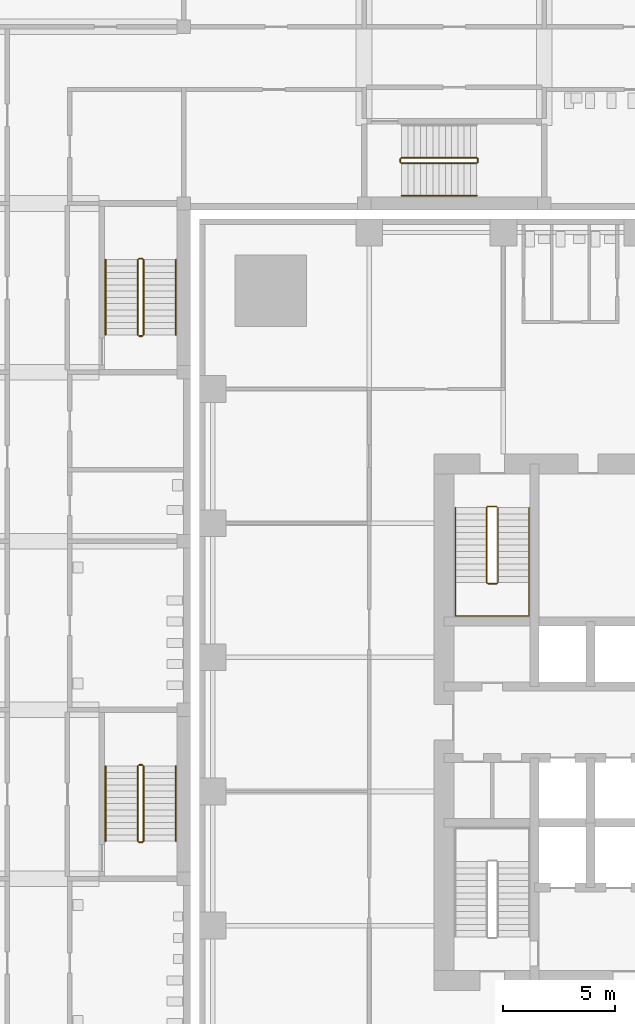
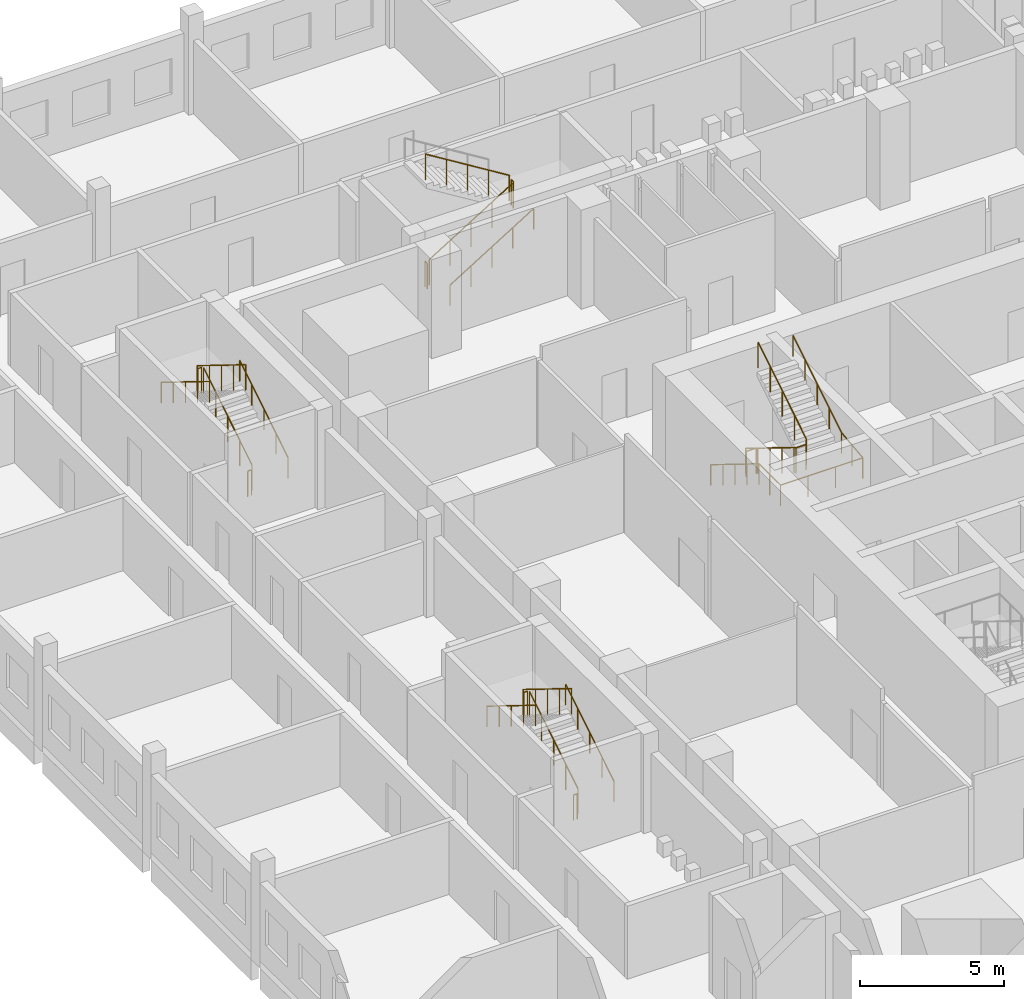
# One storey, part 31 of 34: 19 railings.
"""IFC4 building model written with IfcOpenShell, lengths in metres."""

from ifc_helpers import new_model, si_unit, direction, frame, origin, origin_2d, place, context, subcontext, project, spatial, circle, extrude, material, type_object, element, save


model = new_model("IFC4")

# Units and contexts
model_context = context("Model", 3, precision=1e-05, world=origin(), true_north=direction((0.0, 1.0)))
body_context = subcontext(model_context, "Body", "Model", "MODEL_VIEW")
ifc_project = project(units=[si_unit("LENGTHUNIT", "METRE"), si_unit("AREAUNIT", "SQUARE_METRE"), si_unit("VOLUMEUNIT", "CUBIC_METRE"), si_unit("PLANEANGLEUNIT", "RADIAN"), si_unit("MASSUNIT", "GRAM", prefix="KILO")], contexts=[model_context])

# Site, building, storey
site_placement = place(None, origin())
site = spatial("IfcSite", under=ifc_project, at=site_placement, CompositionType="ELEMENT")
building_placement = place(site_placement, origin())
building = spatial("IfcBuilding", under=site, at=building_placement, Name="Amberfall Residences", CompositionType="ELEMENT")
storey_placement = place(building_placement, frame((0.0, 0.0, 5.5)))
storey = spatial("IfcBuildingStorey", under=building, at=storey_placement, Name="L01", CompositionType="ELEMENT", Elevation=5.5)

# Railings
ifc_material_1 = material(Name="Stainless steel", Category="steel")
railing_type_1 = type_object("IfcRailingType", Name="School stair guard 1100", PredefinedType="GUARDRAIL", material=ifc_material_1)
railing_1_placement = place(storey_placement, frame((49.5, 40.175048828125, 0.173095703125)))
element("IfcRailing", 1, at=railing_1_placement, inside=storey, type_object=railing_type_1, Name="L01 SS2 stair guard 1", PredefinedType="GUARDRAIL", context=body_context, shape_type="SweptSolid", body=[
    extrude(circle(Radius=0.02392578125, at=origin_2d()), frame((0.0, 0.0, 1.076171875), z_axis=(0.0, 0.850606129759, 0.525803396734), x_axis=(-1.0, 0.0, 0.0)), (0.0, 0.0, 1.0), 3.949951171875),
    extrude(circle(Radius=0.02099609375, at=origin_2d()), origin(), (0.0, 0.0, 1.0), 1.052001953125),
    extrude(circle(Radius=0.02099609375, at=origin_2d()), frame((0.0, 0.83984375, 0.519287109375)), (0.0, 0.0, 1.0), 1.052001953125),
    extrude(circle(Radius=0.02099609375, at=origin_2d()), frame((0.0, 1.679931640625, 1.03857421875)), (0.0, 0.0, 1.0), 1.052001953125),
    extrude(circle(Radius=0.02099609375, at=origin_2d()), frame((0.0, 2.52001953125, 1.5576171875)), (0.0, 0.0, 1.0), 1.052001953125),
    extrude(circle(Radius=0.02099609375, at=origin_2d()), frame((0.0, 3.35986328125, 2.076904296875)), (0.0, 0.0, 1.0), 1.052001953125),
])
railing_2_placement = place(storey_placement, frame((49.449951171875, 43.5849609375, 2.25)))
element("IfcRailing", 2, at=railing_2_placement, inside=storey, type_object=railing_type_1, Name="L01 SS2 stair guard 2", PredefinedType="GUARDRAIL", context=body_context, shape_type="SweptSolid", body=[
    extrude(circle(Radius=0.02392578125, at=origin_2d()), frame((0.0, 0.0, 1.076171875), z_axis=(-1.0, 0.0, 0.0), x_axis=(0.0, -1.0, 0.0)), (0.0, 0.0, 1.0), 0.14990234375),
    extrude(circle(Radius=0.02099609375, at=origin_2d()), origin(), (0.0, 0.0, 1.0), 1.052001953125),
    extrude(circle(Radius=0.02099609375, at=origin_2d()), frame((-0.14990234375, 0.0, 0.0)), (0.0, 0.0, 1.0), 1.052001953125),
])
railing_3_placement = place(storey_placement, frame((49.25, 43.534912109375, 2.423095703125)))
element("IfcRailing", 3, at=railing_3_placement, inside=storey, type_object=railing_type_1, Name="L01 SS2 stair guard 3", PredefinedType="GUARDRAIL", context=body_context, shape_type="SweptSolid", body=[
    extrude(circle(Radius=0.02392578125, at=origin_2d()), frame((0.0, 0.0, 1.076171875), z_axis=(0.0, -0.850606129759, 0.525803396734), x_axis=(1.0, 0.0, 0.0)), (0.0, 0.0, 1.0), 3.949951171875),
    extrude(circle(Radius=0.02099609375, at=origin_2d()), origin(), (0.0, 0.0, 1.0), 1.052001953125),
    extrude(circle(Radius=0.02099609375, at=origin_2d()), frame((0.0, -0.83984375, 0.519287109375)), (0.0, 0.0, 1.0), 1.052001953125),
    extrude(circle(Radius=0.02099609375, at=origin_2d()), frame((0.0, -1.679931640625, 1.03857421875)), (0.0, 0.0, 1.0), 1.052001953125),
    extrude(circle(Radius=0.02099609375, at=origin_2d()), frame((0.0, -2.52001953125, 1.5576171875)), (0.0, 0.0, 1.0), 1.052001953125),
    extrude(circle(Radius=0.02099609375, at=origin_2d()), frame((0.0, -3.35986328125, 2.076904296875)), (0.0, 0.0, 1.0), 1.052001953125),
])
railing_4_placement = place(storey_placement, frame((49.449951171875, 40.125, 0.0)))
element("IfcRailing", 4, at=railing_4_placement, inside=storey, type_object=railing_type_1, Name="L01 SS2 stair guard 4", PredefinedType="GUARDRAIL", context=body_context, shape_type="SweptSolid", body=[
    extrude(circle(Radius=0.02392578125, at=origin_2d()), frame((0.0, 0.0, 1.076171875), z_axis=(-1.0, 0.0, 0.0), x_axis=(0.0, -1.0, 0.0)), (0.0, 0.0, 1.0), 0.14990234375),
    extrude(circle(Radius=0.02099609375, at=origin_2d()), origin(), (0.0, 0.0, 1.0), 1.052001953125),
    extrude(circle(Radius=0.02099609375, at=origin_2d()), frame((-0.14990234375, 0.0, 0.0)), (0.0, 0.0, 1.0), 1.052001953125),
])
railing_5_placement = place(storey_placement, frame((49.5, 62.824951171875, 0.173095703125)))
element("IfcRailing", 5, at=railing_5_placement, inside=storey, type_object=railing_type_1, Name="L01 SS3 stair guard 1", PredefinedType="GUARDRAIL", context=body_context, shape_type="SweptSolid", body=[
    extrude(circle(Radius=0.02392578125, at=origin_2d()), frame((0.0, 0.0, 1.076171875), z_axis=(0.0, 0.850623216509, 0.525775754039), x_axis=(-1.0, 0.0, 0.0)), (0.0, 0.0, 1.0), 3.9501953125),
    extrude(circle(Radius=0.02099609375, at=origin_2d()), origin(), (0.0, 0.0, 1.0), 1.052001953125),
    extrude(circle(Radius=0.02099609375, at=origin_2d()), frame((0.0, 0.840087890625, 0.519287109375)), (0.0, 0.0, 1.0), 1.052001953125),
    extrude(circle(Radius=0.02099609375, at=origin_2d()), frame((0.0, 1.68017578125, 1.03857421875)), (0.0, 0.0, 1.0), 1.052001953125),
    extrude(circle(Radius=0.02099609375, at=origin_2d()), frame((0.0, 2.52001953125, 1.5576171875)), (0.0, 0.0, 1.0), 1.052001953125),
    extrude(circle(Radius=0.02099609375, at=origin_2d()), frame((0.0, 3.360107421875, 2.076904296875)), (0.0, 0.0, 1.0), 1.052001953125),
])
railing_6_placement = place(storey_placement, frame((49.449951171875, 66.235107421875, 2.25)))
element("IfcRailing", 6, at=railing_6_placement, inside=storey, type_object=railing_type_1, Name="L01 SS3 stair guard 2", PredefinedType="GUARDRAIL", context=body_context, shape_type="SweptSolid", body=[
    extrude(circle(Radius=0.02392578125, at=origin_2d()), frame((0.0, 0.0, 1.076171875), z_axis=(-1.0, 0.0, 0.0), x_axis=(0.0, -1.0, 0.0)), (0.0, 0.0, 1.0), 0.14990234375),
    extrude(circle(Radius=0.02099609375, at=origin_2d()), origin(), (0.0, 0.0, 1.0), 1.052001953125),
    extrude(circle(Radius=0.02099609375, at=origin_2d()), frame((-0.14990234375, 0.0, 0.0)), (0.0, 0.0, 1.0), 1.052001953125),
])
railing_7_placement = place(storey_placement, frame((49.25, 66.18505859375, 2.423095703125)))
element("IfcRailing", 7, at=railing_7_placement, inside=storey, type_object=railing_type_1, Name="L01 SS3 stair guard 3", PredefinedType="GUARDRAIL", context=body_context, shape_type="SweptSolid", body=[
    extrude(circle(Radius=0.02392578125, at=origin_2d()), frame((0.0, 0.0, 1.076171875), z_axis=(0.0, -0.850623216509, 0.525775754039), x_axis=(1.0, 0.0, 0.0)), (0.0, 0.0, 1.0), 3.9501953125),
    extrude(circle(Radius=0.02099609375, at=origin_2d()), origin(), (0.0, 0.0, 1.0), 1.052001953125),
    extrude(circle(Radius=0.02099609375, at=origin_2d()), frame((0.0, -0.840087890625, 0.519287109375)), (0.0, 0.0, 1.0), 1.052001953125),
    extrude(circle(Radius=0.02099609375, at=origin_2d()), frame((0.0, -1.68017578125, 1.03857421875)), (0.0, 0.0, 1.0), 1.052001953125),
    extrude(circle(Radius=0.02099609375, at=origin_2d()), frame((0.0, -2.52001953125, 1.5576171875)), (0.0, 0.0, 1.0), 1.052001953125),
    extrude(circle(Radius=0.02099609375, at=origin_2d()), frame((0.0, -3.360107421875, 2.076904296875)), (0.0, 0.0, 1.0), 1.052001953125),
])
railing_8_placement = place(storey_placement, frame((49.449951171875, 62.77490234375, 0.0)))
element("IfcRailing", 8, at=railing_8_placement, inside=storey, type_object=railing_type_1, Name="L01 SS3 stair guard 4", PredefinedType="GUARDRAIL", context=body_context, shape_type="SweptSolid", body=[
    extrude(circle(Radius=0.02392578125, at=origin_2d()), frame((0.0, 0.0, 1.076171875), z_axis=(-1.0, 0.0, 0.0), x_axis=(0.0, -1.0, 0.0)), (0.0, 0.0, 1.0), 0.14990234375),
    extrude(circle(Radius=0.02099609375, at=origin_2d()), origin(), (0.0, 0.0, 1.0), 1.052001953125),
    extrude(circle(Radius=0.02099609375, at=origin_2d()), frame((-0.14990234375, 0.0, 0.0)), (0.0, 0.0, 1.0), 1.052001953125),
])
railing_9_placement = place(storey_placement, frame((61.0419921875, 70.5, 0.173095703125)))
element("IfcRailing", 9, at=railing_9_placement, inside=storey, type_object=railing_type_1, Name="L01 SS4 stair guard 1", PredefinedType="GUARDRAIL", context=body_context, shape_type="SweptSolid", body=[
    extrude(circle(Radius=0.02392578125, at=origin_2d()), frame((0.0, 0.0, 1.076171875), z_axis=(0.850623216509, 0.0, 0.525775754039), x_axis=(0.0, 1.0, 0.0)), (0.0, 0.0, 1.0), 3.9501953125),
    extrude(circle(Radius=0.02099609375, at=origin_2d()), origin(), (0.0, 0.0, 1.0), 1.052001953125),
    extrude(circle(Radius=0.02099609375, at=origin_2d()), frame((0.840087890625, 0.0, 0.519287109375)), (0.0, 0.0, 1.0), 1.052001953125),
    extrude(circle(Radius=0.02099609375, at=origin_2d()), frame((1.68017578125, 0.0, 1.03857421875)), (0.0, 0.0, 1.0), 1.052001953125),
    extrude(circle(Radius=0.02099609375, at=origin_2d()), frame((2.52001953125, 0.0, 1.5576171875)), (0.0, 0.0, 1.0), 1.052001953125),
    extrude(circle(Radius=0.02099609375, at=origin_2d()), frame((3.360107421875, 0.0, 2.076904296875)), (0.0, 0.0, 1.0), 1.052001953125),
])
railing_10_placement = place(storey_placement, frame((64.451904296875, 70.550048828125, 2.25)))
element("IfcRailing", 10, at=railing_10_placement, inside=storey, type_object=railing_type_1, Name="L01 SS4 stair guard 2", PredefinedType="GUARDRAIL", context=body_context, shape_type="SweptSolid", body=[
    extrude(circle(Radius=0.02392578125, at=origin_2d()), frame((0.0, 0.0, 1.076171875), z_axis=(0.0, 1.0, 0.0), x_axis=(-1.0, 0.0, 0.0)), (0.0, 0.0, 1.0), 0.14990234375),
    extrude(circle(Radius=0.02099609375, at=origin_2d()), origin(), (0.0, 0.0, 1.0), 1.052001953125),
    extrude(circle(Radius=0.02099609375, at=origin_2d()), frame((0.0, 0.14990234375, 0.0)), (0.0, 0.0, 1.0), 1.052001953125),
])
railing_11_placement = place(storey_placement, frame((64.402099609375, 70.75, 2.423095703125)))
element("IfcRailing", 11, at=railing_11_placement, inside=storey, type_object=railing_type_1, Name="L01 SS4 stair guard 3", PredefinedType="GUARDRAIL", context=body_context, shape_type="SweptSolid", body=[
    extrude(circle(Radius=0.02392578125, at=origin_2d()), frame((0.0, 0.0, 1.076171875), z_axis=(-0.850623216509, 0.0, 0.525775754039), x_axis=(0.0, -1.0, 0.0)), (0.0, 0.0, 1.0), 3.9501953125),
    extrude(circle(Radius=0.02099609375, at=origin_2d()), origin(), (0.0, 0.0, 1.0), 1.052001953125),
    extrude(circle(Radius=0.02099609375, at=origin_2d()), frame((-0.840087890625, 0.0, 0.519287109375)), (0.0, 0.0, 1.0), 1.052001953125),
    extrude(circle(Radius=0.02099609375, at=origin_2d()), frame((-1.68017578125, 0.0, 1.03857421875)), (0.0, 0.0, 1.0), 1.052001953125),
    extrude(circle(Radius=0.02099609375, at=origin_2d()), frame((-2.52001953125, 0.0, 1.5576171875)), (0.0, 0.0, 1.0), 1.052001953125),
    extrude(circle(Radius=0.02099609375, at=origin_2d()), frame((-3.360107421875, 0.0, 2.076904296875)), (0.0, 0.0, 1.0), 1.052001953125),
])
railing_12_placement = place(storey_placement, frame((60.991943359375, 70.550048828125, 0.0)))
element("IfcRailing", 12, at=railing_12_placement, inside=storey, type_object=railing_type_1, Name="L01 SS4 stair guard 4", PredefinedType="GUARDRAIL", context=body_context, shape_type="SweptSolid", body=[
    extrude(circle(Radius=0.02392578125, at=origin_2d()), frame((0.0, 0.0, 1.076171875), z_axis=(0.0, 1.0, 0.0), x_axis=(-1.0, 0.0, 0.0)), (0.0, 0.0, 1.0), 0.14990234375),
    extrude(circle(Radius=0.02099609375, at=origin_2d()), origin(), (0.0, 0.0, 1.0), 1.052001953125),
    extrude(circle(Radius=0.02099609375, at=origin_2d()), frame((0.0, 0.14990234375, 0.0)), (0.0, 0.0, 1.0), 1.052001953125),
])
railing_type_2 = type_object("IfcRailingType", Name="School stair handrail", PredefinedType="HANDRAIL", material=ifc_material_1)
railing_13_placement = place(storey_placement, frame((50.949951171875, 40.175048828125, 0.173095703125)))
element("IfcRailing", 13, at=railing_13_placement, inside=storey, type_object=railing_type_2, Name="L01 SS2 stair handrail 1", PredefinedType="HANDRAIL", context=body_context, shape_type="SweptSolid", body=[
    extrude(circle(Radius=0.02392578125, at=origin_2d()), frame((0.0, 0.0, 0.8759765625), z_axis=(0.0, 0.850606129759, 0.525803396734), x_axis=(-1.0, 0.0, 0.0)), (0.0, 0.0, 1.0), 3.949951171875),
    extrude(circle(Radius=0.02099609375, at=origin_2d()), origin(), (0.0, 0.0, 1.0), 0.851806640625),
    extrude(circle(Radius=0.02099609375, at=origin_2d()), frame((0.0, 0.83984375, 0.519287109375)), (0.0, 0.0, 1.0), 0.851806640625),
    extrude(circle(Radius=0.02099609375, at=origin_2d()), frame((0.0, 1.679931640625, 1.03857421875)), (0.0, 0.0, 1.0), 0.851806640625),
    extrude(circle(Radius=0.02099609375, at=origin_2d()), frame((0.0, 2.52001953125, 1.5576171875)), (0.0, 0.0, 1.0), 0.851806640625),
    extrude(circle(Radius=0.02099609375, at=origin_2d()), frame((0.0, 3.35986328125, 2.076904296875)), (0.0, 0.0, 1.0), 0.851806640625),
])
railing_14_placement = place(storey_placement, frame((47.800048828125, 43.534912109375, 2.423095703125)))
element("IfcRailing", 14, at=railing_14_placement, inside=storey, type_object=railing_type_2, Name="L01 SS2 stair handrail 2", PredefinedType="HANDRAIL", context=body_context, shape_type="SweptSolid", body=[
    extrude(circle(Radius=0.02392578125, at=origin_2d()), frame((0.0, 0.0, 0.8759765625), z_axis=(0.0, -0.850606129759, 0.525803396734), x_axis=(1.0, 0.0, 0.0)), (0.0, 0.0, 1.0), 3.949951171875),
    extrude(circle(Radius=0.02099609375, at=origin_2d()), origin(), (0.0, 0.0, 1.0), 0.851806640625),
    extrude(circle(Radius=0.02099609375, at=origin_2d()), frame((0.0, -0.83984375, 0.519287109375)), (0.0, 0.0, 1.0), 0.851806640625),
    extrude(circle(Radius=0.02099609375, at=origin_2d()), frame((0.0, -1.679931640625, 1.03857421875)), (0.0, 0.0, 1.0), 0.851806640625),
    extrude(circle(Radius=0.02099609375, at=origin_2d()), frame((0.0, -2.52001953125, 1.5576171875)), (0.0, 0.0, 1.0), 0.851806640625),
    extrude(circle(Radius=0.02099609375, at=origin_2d()), frame((0.0, -3.35986328125, 2.076904296875)), (0.0, 0.0, 1.0), 0.851806640625),
])
railing_15_placement = place(storey_placement, frame((50.949951171875, 62.824951171875, 0.173095703125)))
element("IfcRailing", 15, at=railing_15_placement, inside=storey, type_object=railing_type_2, Name="L01 SS3 stair handrail 1", PredefinedType="HANDRAIL", context=body_context, shape_type="SweptSolid", body=[
    extrude(circle(Radius=0.02392578125, at=origin_2d()), frame((0.0, 0.0, 0.8759765625), z_axis=(0.0, 0.850623216509, 0.525775754039), x_axis=(-1.0, 0.0, 0.0)), (0.0, 0.0, 1.0), 3.9501953125),
    extrude(circle(Radius=0.02099609375, at=origin_2d()), origin(), (0.0, 0.0, 1.0), 0.851806640625),
    extrude(circle(Radius=0.02099609375, at=origin_2d()), frame((0.0, 0.840087890625, 0.519287109375)), (0.0, 0.0, 1.0), 0.851806640625),
    extrude(circle(Radius=0.02099609375, at=origin_2d()), frame((0.0, 1.68017578125, 1.03857421875)), (0.0, 0.0, 1.0), 0.851806640625),
    extrude(circle(Radius=0.02099609375, at=origin_2d()), frame((0.0, 2.52001953125, 1.5576171875)), (0.0, 0.0, 1.0), 0.851806640625),
    extrude(circle(Radius=0.02099609375, at=origin_2d()), frame((0.0, 3.360107421875, 2.076904296875)), (0.0, 0.0, 1.0), 0.851806640625),
])
railing_16_placement = place(storey_placement, frame((47.800048828125, 66.18505859375, 2.423095703125)))
element("IfcRailing", 16, at=railing_16_placement, inside=storey, type_object=railing_type_2, Name="L01 SS3 stair handrail 2", PredefinedType="HANDRAIL", context=body_context, shape_type="SweptSolid", body=[
    extrude(circle(Radius=0.02392578125, at=origin_2d()), frame((0.0, 0.0, 0.8759765625), z_axis=(0.0, -0.850623216509, 0.525775754039), x_axis=(1.0, 0.0, 0.0)), (0.0, 0.0, 1.0), 3.9501953125),
    extrude(circle(Radius=0.02099609375, at=origin_2d()), origin(), (0.0, 0.0, 1.0), 0.851806640625),
    extrude(circle(Radius=0.02099609375, at=origin_2d()), frame((0.0, -0.840087890625, 0.519287109375)), (0.0, 0.0, 1.0), 0.851806640625),
    extrude(circle(Radius=0.02099609375, at=origin_2d()), frame((0.0, -1.68017578125, 1.03857421875)), (0.0, 0.0, 1.0), 0.851806640625),
    extrude(circle(Radius=0.02099609375, at=origin_2d()), frame((0.0, -2.52001953125, 1.5576171875)), (0.0, 0.0, 1.0), 0.851806640625),
    extrude(circle(Radius=0.02099609375, at=origin_2d()), frame((0.0, -3.360107421875, 2.076904296875)), (0.0, 0.0, 1.0), 0.851806640625),
])
railing_17_placement = place(storey_placement, frame((61.0419921875, 69.050048828125, 0.173095703125)))
element("IfcRailing", 17, at=railing_17_placement, inside=storey, type_object=railing_type_2, Name="L01 SS4 stair handrail 1", PredefinedType="HANDRAIL", context=body_context, shape_type="SweptSolid", body=[
    extrude(circle(Radius=0.02392578125, at=origin_2d()), frame((0.0, 0.0, 0.8759765625), z_axis=(0.850623216509, 0.0, 0.525775754039), x_axis=(0.0, 1.0, 0.0)), (0.0, 0.0, 1.0), 3.9501953125),
    extrude(circle(Radius=0.02099609375, at=origin_2d()), origin(), (0.0, 0.0, 1.0), 0.851806640625),
    extrude(circle(Radius=0.02099609375, at=origin_2d()), frame((0.840087890625, 0.0, 0.519287109375)), (0.0, 0.0, 1.0), 0.851806640625),
    extrude(circle(Radius=0.02099609375, at=origin_2d()), frame((1.68017578125, 0.0, 1.03857421875)), (0.0, 0.0, 1.0), 0.851806640625),
    extrude(circle(Radius=0.02099609375, at=origin_2d()), frame((2.52001953125, 0.0, 1.5576171875)), (0.0, 0.0, 1.0), 0.851806640625),
    extrude(circle(Radius=0.02099609375, at=origin_2d()), frame((3.360107421875, 0.0, 2.076904296875)), (0.0, 0.0, 1.0), 0.851806640625),
])
ifc_material_2 = material(Name="Stainless steel 316", Category="steel")
railing_type_3 = type_object("IfcRailingType", Name="Stair guard 1100", PredefinedType="GUARDRAIL", material=ifc_material_2)
railing_18_placement = place(storey_placement, frame((65.300048828125, 55.14990234375, 0.0)))
element("IfcRailing", 18, at=railing_18_placement, inside=storey, type_object=railing_type_3, Name="L01 stair 4 guard", PredefinedType="GUARDRAIL", context=body_context, shape_type="SweptSolid", body=[
    extrude(circle(Radius=0.02392578125, at=origin_2d()), frame((0.0, 0.0, 1.076171875), z_axis=(-1.0, 0.0, 0.0), x_axis=(0.0, -1.0, 0.0)), (0.0, 0.0, 1.0), 0.400146484375),
    extrude(circle(Radius=0.02392578125, at=origin_2d()), frame((-0.400146484375, 0.0, 1.076171875), z_axis=(-0.26651005591, -0.26651005591, 0.926253086471), x_axis=(0.707106781187, -0.707106781187, 0.0)), (0.0, 0.0, 1.0), 0.186767578125),
    extrude(circle(Radius=0.02392578125, at=origin_2d()), frame((-0.449951171875, -0.0498046875, 1.2490234375), z_axis=(0.0, -0.850623216509, 0.525775754039), x_axis=(1.0, 0.0, 0.0)), (0.0, 0.0, 1.0), 3.9501953125),
    extrude(circle(Radius=0.02392578125, at=origin_2d()), frame((-0.449951171875, -3.409912109375, 3.326171875), z_axis=(0.705375805398, -0.708833529934, 0.0), x_axis=(0.708833529934, 0.705375805398, 0.0)), (0.0, 0.0, 1.0), 0.070556640625),
    extrude(circle(Radius=0.02392578125, at=origin_2d()), frame((-0.400146484375, -3.4599609375, 3.326171875), z_axis=(1.0, 0.0, 0.0), x_axis=(0.0, 1.0, 0.0)), (0.0, 0.0, 1.0), 0.400146484375),
    extrude(circle(Radius=0.02392578125, at=origin_2d()), frame((0.0, -3.4599609375, 3.326171875), z_axis=(0.267629722418, 0.267629722418, 0.925607186314), x_axis=(-0.707106781187, 0.707106781187, 0.0)), (0.0, 0.0, 1.0), 0.18701171875),
    extrude(circle(Radius=0.02392578125, at=origin_2d()), frame((0.050048828125, -3.409912109375, 3.4990234375), z_axis=(0.0, 0.850623216509, 0.525775754039), x_axis=(-1.0, 0.0, 0.0)), (0.0, 0.0, 1.0), 3.9501953125),
    extrude(circle(Radius=0.02099609375, at=origin_2d()), origin(), (0.0, 0.0, 1.0), 1.052001953125),
    extrude(circle(Radius=0.02099609375, at=origin_2d()), frame((-0.400146484375, 0.0, 0.0)), (0.0, 0.0, 1.0), 1.052001953125),
    extrude(circle(Radius=0.02099609375, at=origin_2d()), frame((-0.449951171875, -0.0498046875, 0.173095703125)), (0.0, 0.0, 1.0), 1.052001953125),
    extrude(circle(Radius=0.02099609375, at=origin_2d()), frame((-0.449951171875, -0.889892578125, 0.6923828125)), (0.0, 0.0, 1.0), 1.052001953125),
    extrude(circle(Radius=0.02099609375, at=origin_2d()), frame((-0.449951171875, -1.72998046875, 1.21142578125)), (0.0, 0.0, 1.0), 1.052001953125),
    extrude(circle(Radius=0.02099609375, at=origin_2d()), frame((-0.449951171875, -2.56982421875, 1.730712890625)), (0.0, 0.0, 1.0), 1.052001953125),
    extrude(circle(Radius=0.02099609375, at=origin_2d()), frame((-0.449951171875, -3.409912109375, 2.25)), (0.0, 0.0, 1.0), 1.052001953125),
    extrude(circle(Radius=0.02099609375, at=origin_2d()), frame((-0.400146484375, -3.4599609375, 2.25)), (0.0, 0.0, 1.0), 1.052001953125),
    extrude(circle(Radius=0.02099609375, at=origin_2d()), frame((0.0, -3.4599609375, 2.25)), (0.0, 0.0, 1.0), 1.052001953125),
    extrude(circle(Radius=0.02099609375, at=origin_2d()), frame((0.050048828125, -3.409912109375, 2.423095703125)), (0.0, 0.0, 1.0), 1.052001953125),
    extrude(circle(Radius=0.02099609375, at=origin_2d()), frame((0.050048828125, -2.56982421875, 2.9423828125)), (0.0, 0.0, 1.0), 1.052001953125),
    extrude(circle(Radius=0.02099609375, at=origin_2d()), frame((0.050048828125, -1.72998046875, 3.46142578125)), (0.0, 0.0, 1.0), 1.052001953125),
    extrude(circle(Radius=0.02099609375, at=origin_2d()), frame((0.050048828125, -0.889892578125, 3.980712890625)), (0.0, 0.0, 1.0), 1.052001953125),
    extrude(circle(Radius=0.02099609375, at=origin_2d()), frame((0.050048828125, -0.0498046875, 4.5)), (0.0, 0.0, 1.0), 1.052001953125),
])
railing_type_4 = type_object("IfcRailingType", Name="Stair handrail 900", PredefinedType="HANDRAIL", material=ifc_material_2)
railing_19_placement = place(storey_placement, frame((63.449951171875, 55.10009765625, 0.173095703125)))
element("IfcRailing", 19, at=railing_19_placement, inside=storey, type_object=railing_type_4, Name="L01 stair 4 handrail", PredefinedType="HANDRAIL", context=body_context, shape_type="SweptSolid", body=[
    extrude(circle(Radius=0.02392578125, at=origin_2d()), frame((0.0, 0.0, 0.8759765625), z_axis=(0.0, -0.850623216509, 0.525775754039), x_axis=(1.0, 0.0, 0.0)), (0.0, 0.0, 1.0), 3.9501953125),
    extrude(circle(Radius=0.02392578125, at=origin_2d()), frame((0.0, -3.360107421875, 2.95263671875), z_axis=(0.0, -1.0, 0.0), x_axis=(1.0, 0.0, 0.0)), (0.0, 0.0, 1.0), 1.489990234375),
    extrude(circle(Radius=0.02392578125, at=origin_2d()), frame((0.0, -4.85009765625, 2.95263671875), z_axis=(1.0, 0.0, 0.0), x_axis=(0.0, 1.0, 0.0)), (0.0, 0.0, 1.0), 3.300048828125),
    extrude(circle(Radius=0.02392578125, at=origin_2d()), frame((3.300048828125, -4.85009765625, 2.95263671875), z_axis=(0.0, 0.993319533971, 0.115396288642), x_axis=(-1.0, 0.0, 0.0)), (0.0, 0.0, 1.0), 1.5),
    extrude(circle(Radius=0.02392578125, at=origin_2d()), frame((3.300048828125, -3.360107421875, 3.1259765625), z_axis=(0.0, 0.850623216509, 0.525775754039), x_axis=(-1.0, 0.0, 0.0)), (0.0, 0.0, 1.0), 3.9501953125),
    extrude(circle(Radius=0.02099609375, at=origin_2d()), origin(), (0.0, 0.0, 1.0), 0.851806640625),
    extrude(circle(Radius=0.02099609375, at=origin_2d()), frame((0.0, -0.840087890625, 0.519287109375)), (0.0, 0.0, 1.0), 0.851806640625),
    extrude(circle(Radius=0.02099609375, at=origin_2d()), frame((0.0, -1.68017578125, 1.03857421875)), (0.0, 0.0, 1.0), 0.851806640625),
    extrude(circle(Radius=0.02099609375, at=origin_2d()), frame((0.0, -2.52001953125, 1.5576171875)), (0.0, 0.0, 1.0), 0.851806640625),
    extrude(circle(Radius=0.02099609375, at=origin_2d()), frame((0.0, -3.360107421875, 2.076904296875)), (0.0, 0.0, 1.0), 0.851806640625),
    extrude(circle(Radius=0.02099609375, at=origin_2d()), frame((0.0, -4.10498046875, 2.076904296875)), (0.0, 0.0, 1.0), 0.851806640625),
    extrude(circle(Radius=0.02099609375, at=origin_2d()), frame((0.0, -4.85009765625, 2.076904296875)), (0.0, 0.0, 1.0), 0.851806640625),
    extrude(circle(Radius=0.02099609375, at=origin_2d()), frame((1.10009765625, -4.85009765625, 2.076904296875)), (0.0, 0.0, 1.0), 0.851806640625),
    extrude(circle(Radius=0.02099609375, at=origin_2d()), frame((2.199951171875, -4.85009765625, 2.076904296875)), (0.0, 0.0, 1.0), 0.851806640625),
    extrude(circle(Radius=0.02099609375, at=origin_2d()), frame((3.300048828125, -4.85009765625, 2.076904296875)), (0.0, 0.0, 1.0), 0.851806640625),
    extrude(circle(Radius=0.02099609375, at=origin_2d()), frame((3.300048828125, -4.10498046875, 2.16357421875)), (0.0, 0.0, 1.0), 0.851806640625),
    extrude(circle(Radius=0.02099609375, at=origin_2d()), frame((3.300048828125, -3.360107421875, 2.25)), (0.0, 0.0, 1.0), 0.851806640625),
    extrude(circle(Radius=0.02099609375, at=origin_2d()), frame((3.300048828125, -2.52001953125, 2.769287109375)), (0.0, 0.0, 1.0), 0.851806640625),
    extrude(circle(Radius=0.02099609375, at=origin_2d()), frame((3.300048828125, -1.68017578125, 3.28857421875)), (0.0, 0.0, 1.0), 0.851806640625),
    extrude(circle(Radius=0.02099609375, at=origin_2d()), frame((3.300048828125, -0.840087890625, 3.8076171875)), (0.0, 0.0, 1.0), 0.851806640625),
    extrude(circle(Radius=0.02099609375, at=origin_2d()), frame((3.300048828125, 0.0, 4.326904296875)), (0.0, 0.0, 1.0), 0.851806640625),
])

save(model, "model.ifc")
